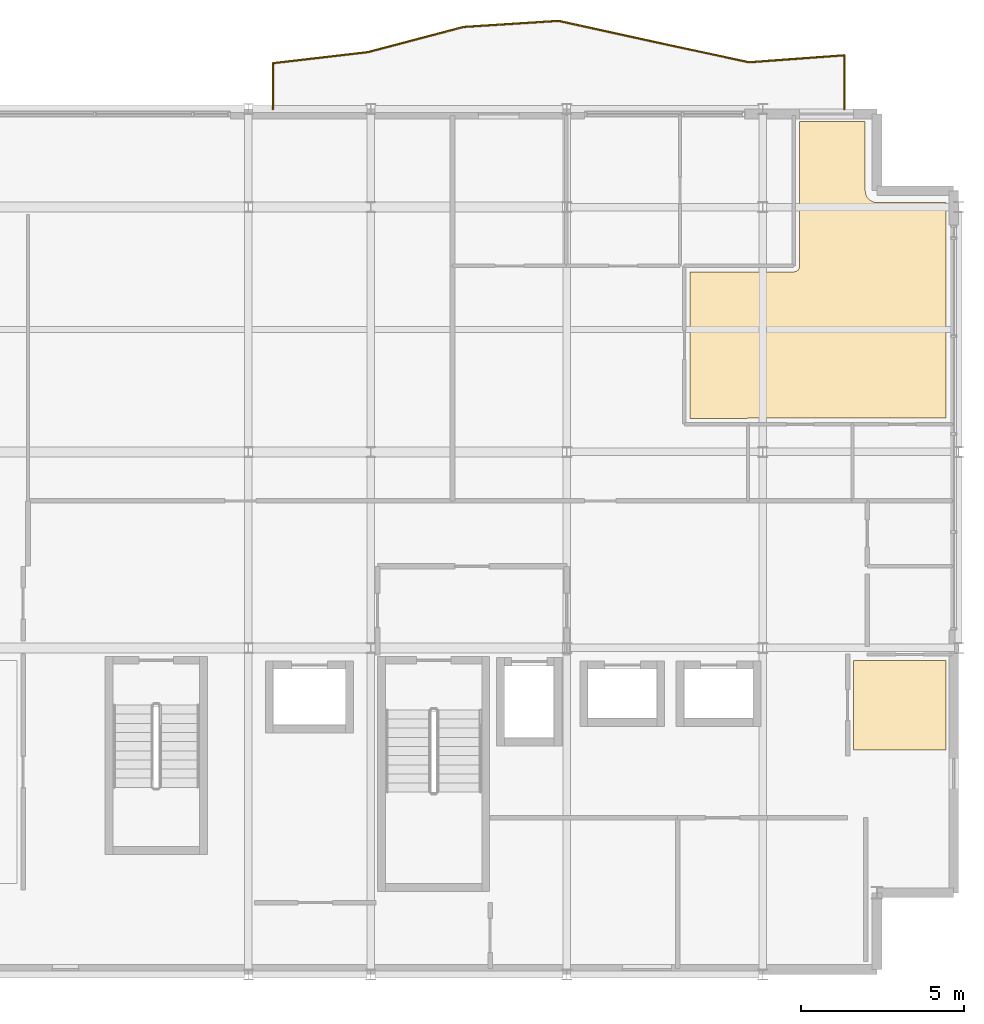
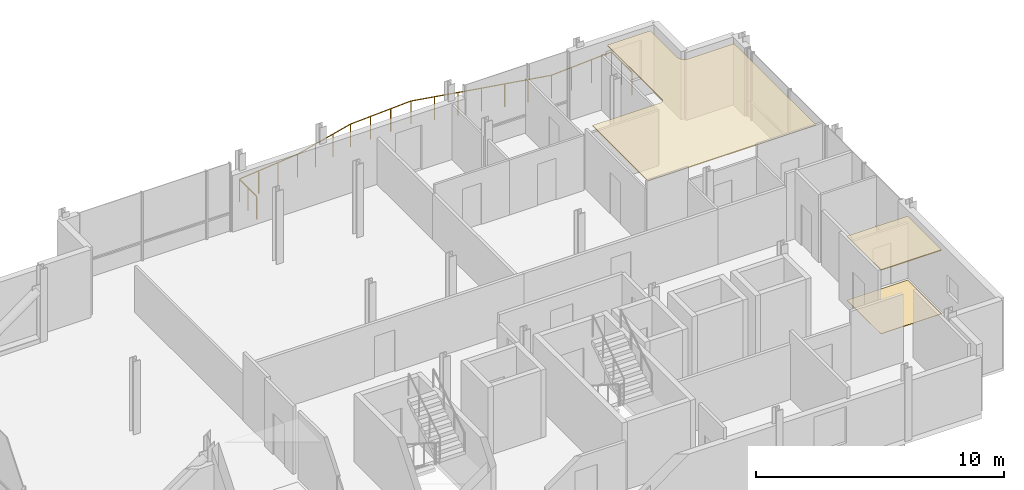
# One storey, part 18 of 18: 3 coverings, 1 railing.
"""IFC4 building model written with IfcOpenShell, lengths in metres."""

from ifc_helpers import new_model, si_unit, direction, frame, origin, origin_2d, place, context, subcontext, project, spatial, polyline, circle, outline, extrude, material, layer, layer_set, type_object, element, save


model = new_model("IFC4")

# Units and contexts
model_context = context("Model", 3, precision=1e-05, world=origin(), true_north=direction((0.0, 1.0)))
body_context = subcontext(model_context, "Body", "Model", "MODEL_VIEW")
ifc_project = project(units=[si_unit("LENGTHUNIT", "METRE"), si_unit("AREAUNIT", "SQUARE_METRE"), si_unit("VOLUMEUNIT", "CUBIC_METRE"), si_unit("PLANEANGLEUNIT", "RADIAN"), si_unit("MASSUNIT", "GRAM", prefix="KILO")], contexts=[model_context])

# Site, building, storey
site_placement = place(None, origin())
site = spatial("IfcSite", under=ifc_project, at=site_placement, CompositionType="ELEMENT")
building_placement = place(site_placement, origin())
building = spatial("IfcBuilding", under=site, at=building_placement, Name="Brevholm Reach", CompositionType="ELEMENT")
storey_placement = place(building_placement, frame((0.0, 0.0, 240.050048828125)))
storey = spatial("IfcBuildingStorey", under=building, at=storey_placement, Name="L73", CompositionType="ELEMENT", Elevation=240.050048828125)

# Coverings
ifc_material_1 = material(Name="Perforated Mineral-Fibre Class-A Acoustic Suspended Ceiling", Category="gypsum")
ifc_layer_1 = layer(ifc_material_1, 0.044921875)
ifc_layer_set_1 = layer_set([ifc_layer_1], Name="Perforated Mineral-Fibre Class-A Acoustic Suspended Ceiling")
covering_type_1 = type_object("IfcCoveringType", Name="COV-CLG-AC", PredefinedType="CEILING", material=ifc_layer_set_1)
covering_1_placement = place(storey_placement, frame((0.0, 0.0, 3.135009765625)))
element("IfcCovering", 1, at=covering_1_placement, inside=storey, type_object=covering_type_1, Name="L73 Suspended Ceiling L73-18", PredefinedType="CEILING", context=body_context, shape_type="SweptSolid", body=[
    extrude(outline(polyline([(59.6201171875, 9.6201171875), (59.6201171875, 6.8798828125), (56.783935546875, 6.8798828125), (56.783935546875, 9.6201171875), (59.6201171875, 9.6201171875)])), origin(), (0.0, 0.0, 1.0), 0.044921875),
])
covering_2_placement = place(storey_placement, frame((0.0, 0.0, 3.135009765625)))
element("IfcCovering", 2, at=covering_2_placement, inside=storey, type_object=covering_type_1, Name="L73 Suspended Ceiling L73-29", PredefinedType="CEILING", context=body_context, shape_type="SweptSolid", body=[
    extrude(outline(polyline([(51.780029296875, 17.030029296875), (51.780029296875, 21.51611328125), (54.951416015625, 21.516845703125), (54.96923828125, 21.517822265625), (54.98681640625, 21.5205078125), (55.00390625, 21.524658203125), (55.0205078125, 21.530517578125), (55.036376953125, 21.5380859375), (55.051513671875, 21.547119140625), (55.065673828125, 21.557861328125), (55.078857421875, 21.569580078125), (55.090576171875, 21.582763671875), (55.101318359375, 21.596923828125), (55.110107421875, 21.612060546875), (55.117919921875, 21.6279296875), (55.123779296875, 21.64453125), (55.1279296875, 21.66162109375), (55.130615234375, 21.67919921875), (55.131591796875, 21.69677734375), (55.1328125, 26.1201171875), (57.139892578125, 26.1201171875), (57.139892578125, 24.0), (57.140869140625, 23.982177734375), (57.144287109375, 23.947021484375), (57.14697265625, 23.9296875), (57.151123046875, 23.912841796875), (57.161376953125, 23.879150390625), (57.167236328125, 23.8623046875), (57.1748046875, 23.84619140625), (57.19140625, 23.815185546875), (57.20068359375, 23.800048828125), (57.211181640625, 23.785888671875), (57.2333984375, 23.758544921875), (57.245361328125, 23.745361328125), (57.258544921875, 23.7333984375), (57.285888671875, 23.711181640625), (57.300048828125, 23.70068359375), (57.315185546875, 23.69140625), (57.34619140625, 23.6748046875), (57.3623046875, 23.667236328125), (57.379150390625, 23.661376953125), (57.412841796875, 23.651123046875), (57.4296875, 23.64697265625), (57.447021484375, 23.644287109375), (57.482177734375, 23.640869140625), (57.5, 23.639892578125), (59.6201171875, 23.639892578125), (59.6201171875, 23.623779296875), (59.6171875, 23.6162109375), (59.607666015625, 23.577880859375), (59.601806640625, 23.539306640625), (59.60009765625, 23.5), (59.601806640625, 23.460693359375), (59.607666015625, 23.422119140625), (59.6171875, 23.3837890625), (59.6201171875, 23.376220703125), (59.6201171875, 17.033935546875), (53.550048828125, 17.033935546875), (53.532470703125, 17.033203125), (53.514892578125, 17.030517578125), (53.5126953125, 17.030029296875), (51.780029296875, 17.030029296875)])), origin(), (0.0, 0.0, 1.0), 0.044921875),
])
ifc_material_2 = material(Name="Engineered European Oak Acoustic Plank Flooring", Category="timber")
ifc_layer_2 = layer(ifc_material_2, 0.02197265625)
ifc_layer_set_2 = layer_set([ifc_layer_2], Name="Engineered European Oak Acoustic Plank Flooring")
covering_type_2 = type_object("IfcCoveringType", Name="COV-FLR-OAK", PredefinedType="FLOORING", material=ifc_layer_set_2)
covering_3_placement = place(storey_placement, origin())
element("IfcCovering", 3, at=covering_3_placement, inside=storey, type_object=covering_type_2, Name="L73 Floor Finish L73-18", PredefinedType="FLOORING", context=body_context, shape_type="SweptSolid", body=[
    extrude(outline(polyline([(59.6201171875, 9.6201171875), (59.6201171875, 6.8798828125), (56.783935546875, 6.8798828125), (56.783935546875, 9.6201171875), (59.6201171875, 9.6201171875)])), origin(), (0.0, 0.0, 1.0), 0.02197265625),
])

# Railing
ifc_material_3 = material(Name="Brushed Stainless Steel EN 1.4401 and Laminated Glass", Category="steel")
railing_type = type_object("IfcRailingType", Name="RAL-BALC-1150", PredefinedType="BALUSTRADE", material=ifc_material_3)
railing_placement = place(storey_placement, frame((56.5, 26.5, 0.0)))
element("IfcRailing", 4, at=railing_placement, inside=storey, type_object=railing_type, Name="L73 Guard Balustrade RAL-L73-BAL-NE", PredefinedType="BALUSTRADE", context=body_context, shape_type="SweptSolid", body=[
    extrude(circle(Radius=0.02392578125, at=origin_2d()), frame((0.0, 0.0, 1.1259765625), z_axis=(0.0, 1.0, 0.0), x_axis=(-1.0, 0.0, 0.0)), (0.0, 0.0, 1.0), 1.650146484375),
    extrude(circle(Radius=0.02392578125, at=origin_2d()), frame((0.0, 1.650146484375, 1.1259765625), z_axis=(-0.997334760815, -0.072961461535, 0.0), x_axis=(0.072961461535, -0.997334760815, 0.0)), (0.0, 0.0, 1.0), 2.924560546875),
    extrude(circle(Radius=0.02392578125, at=origin_2d()), frame((-2.916748046875, 1.436767578125, 1.1259765625), z_axis=(-0.977699293222, 0.21000974271, 0.0), x_axis=(-0.21000974271, -0.977699293222, 0.0)), (0.0, 0.0, 1.0), 2.98291015625),
    extrude(circle(Radius=0.02392578125, at=origin_2d()), frame((-5.833251953125, 2.063232421875, 1.1259765625), z_axis=(-0.976633143635, 0.214913244715, 0.0), x_axis=(-0.214913244715, -0.976633143635, 0.0)), (0.0, 0.0, 1.0), 2.986572265625),
    extrude(circle(Radius=0.02392578125, at=origin_2d()), frame((-8.75, 2.705078125, 1.1259765625), z_axis=(-0.997945514781, -0.06406831923, 0.0), x_axis=(0.06406831923, -0.997945514781, 0.0)), (0.0, 0.0, 1.0), 2.9228515625),
    extrude(circle(Radius=0.02392578125, at=origin_2d()), frame((-11.666748046875, 2.517822265625, 1.1259765625), z_axis=(-0.966868735292, -0.255274065889, 0.0), x_axis=(0.255274065889, -0.966868735292, 0.0)), (0.0, 0.0, 1.0), 3.016357421875),
    extrude(circle(Radius=0.02392578125, at=origin_2d()), frame((-14.583251953125, 1.747802734375, 1.1259765625), z_axis=(-0.99329006652, -0.11564965954, 0.0), x_axis=(0.11564965954, -0.99329006652, 0.0)), (0.0, 0.0, 1.0), 2.9365234375),
    extrude(circle(Radius=0.02392578125, at=origin_2d()), frame((-17.5, 1.408203125, 1.1259765625), z_axis=(0.0, -1.0, 0.0), x_axis=(1.0, 0.0, 0.0)), (0.0, 0.0, 1.0), 1.408203125),
    extrude(circle(Radius=0.02099609375, at=origin_2d()), origin(), (0.0, 0.0, 1.0), 1.101806640625),
    extrude(circle(Radius=0.02099609375, at=origin_2d()), frame((0.0, 0.8251953125, 0.0)), (0.0, 0.0, 1.0), 1.101806640625),
    extrude(circle(Radius=0.02099609375, at=origin_2d()), frame((0.0, 1.650146484375, 0.0)), (0.0, 0.0, 1.0), 1.101806640625),
    extrude(circle(Radius=0.02099609375, at=origin_2d()), frame((-0.97216796875, 1.5791015625, 0.0)), (0.0, 0.0, 1.0), 1.101806640625),
    extrude(circle(Radius=0.02099609375, at=origin_2d()), frame((-1.944580078125, 1.5078125, 0.0)), (0.0, 0.0, 1.0), 1.101806640625),
    extrude(circle(Radius=0.02099609375, at=origin_2d()), frame((-2.916748046875, 1.436767578125, 0.0)), (0.0, 0.0, 1.0), 1.101806640625),
    extrude(circle(Radius=0.02099609375, at=origin_2d()), frame((-3.888916015625, 1.6455078125, 0.0)), (0.0, 0.0, 1.0), 1.101806640625),
    extrude(circle(Radius=0.02099609375, at=origin_2d()), frame((-4.861083984375, 1.8544921875, 0.0)), (0.0, 0.0, 1.0), 1.101806640625),
    extrude(circle(Radius=0.02099609375, at=origin_2d()), frame((-5.833251953125, 2.063232421875, 0.0)), (0.0, 0.0, 1.0), 1.101806640625),
    extrude(circle(Radius=0.02099609375, at=origin_2d()), frame((-6.805419921875, 2.277099609375, 0.0)), (0.0, 0.0, 1.0), 1.101806640625),
    extrude(circle(Radius=0.02099609375, at=origin_2d()), frame((-7.77783203125, 2.4912109375, 0.0)), (0.0, 0.0, 1.0), 1.101806640625),
    extrude(circle(Radius=0.02099609375, at=origin_2d()), frame((-8.75, 2.705078125, 0.0)), (0.0, 0.0, 1.0), 1.101806640625),
    extrude(circle(Radius=0.02099609375, at=origin_2d()), frame((-9.72216796875, 2.642578125, 0.0)), (0.0, 0.0, 1.0), 1.101806640625),
    extrude(circle(Radius=0.02099609375, at=origin_2d()), frame((-10.694580078125, 2.580322265625, 0.0)), (0.0, 0.0, 1.0), 1.101806640625),
    extrude(circle(Radius=0.02099609375, at=origin_2d()), frame((-11.666748046875, 2.517822265625, 0.0)), (0.0, 0.0, 1.0), 1.101806640625),
    extrude(circle(Radius=0.02099609375, at=origin_2d()), frame((-12.638916015625, 2.26123046875, 0.0)), (0.0, 0.0, 1.0), 1.101806640625),
    extrude(circle(Radius=0.02099609375, at=origin_2d()), frame((-13.611083984375, 2.00439453125, 0.0)), (0.0, 0.0, 1.0), 1.101806640625),
    extrude(circle(Radius=0.02099609375, at=origin_2d()), frame((-14.583251953125, 1.747802734375, 0.0)), (0.0, 0.0, 1.0), 1.101806640625),
    extrude(circle(Radius=0.02099609375, at=origin_2d()), frame((-15.555419921875, 1.634521484375, 0.0)), (0.0, 0.0, 1.0), 1.101806640625),
    extrude(circle(Radius=0.02099609375, at=origin_2d()), frame((-16.52783203125, 1.521484375, 0.0)), (0.0, 0.0, 1.0), 1.101806640625),
    extrude(circle(Radius=0.02099609375, at=origin_2d()), frame((-17.5, 1.408203125, 0.0)), (0.0, 0.0, 1.0), 1.101806640625),
    extrude(circle(Radius=0.02099609375, at=origin_2d()), frame((-17.5, 0.7041015625, 0.0)), (0.0, 0.0, 1.0), 1.101806640625),
    extrude(circle(Radius=0.02099609375, at=origin_2d()), frame((-17.5, 0.0, 0.0)), (0.0, 0.0, 1.0), 1.101806640625),
])

save(model, "model.ifc")
